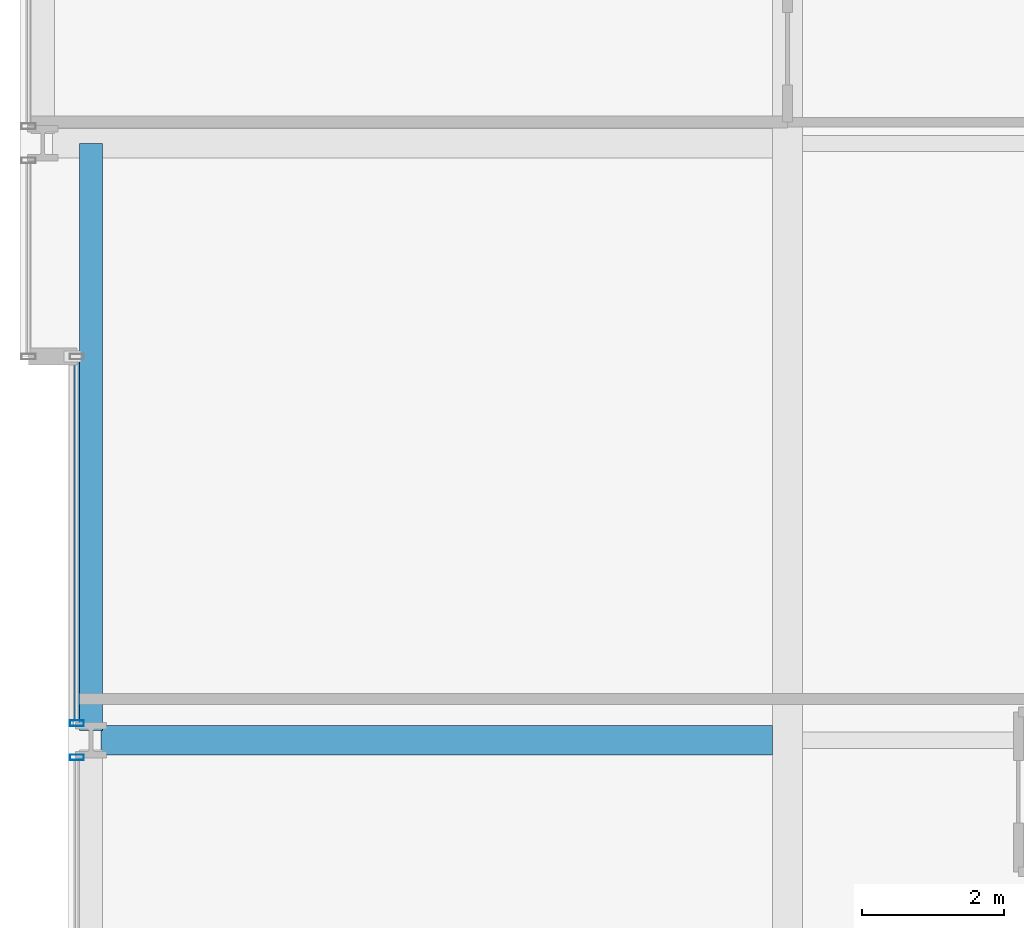
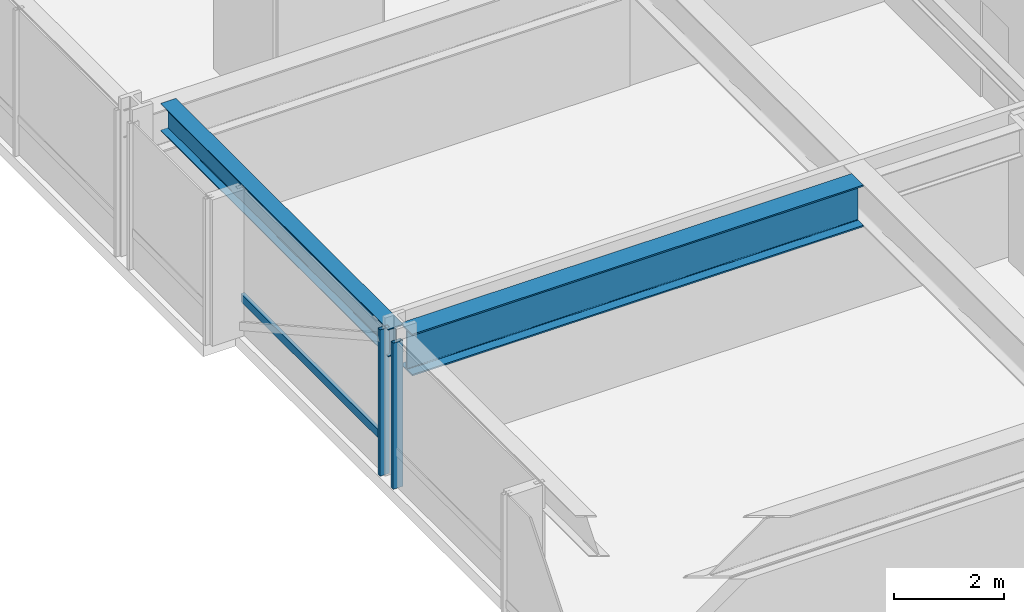
# One storey, part 9 of 38: 3 members, 2 beams, 2 elements without a shape of their own.
"""IFC4 building model written with IfcOpenShell, lengths in metres."""

import ifcopenshell
import ifcopenshell.guid

model = None  # the IFC model being written
_history = None  # IfcOwnerHistory: only IFC2X3 demands one
_inside = {}  # id of a spatial element -> (the spatial element, [elements in it])
_under = {}  # id of a project, library or spatial element -> (it, [spatial elements below it])
_declared = {}  # id of a project -> (the project, [libraries it declares])
_typed = {}  # id of a type object -> (the type object, [elements of that type])
_made_of = {}  # id of a material, layer set ... -> (it, [elements and type objects made of it])


def new_model(schema):
    """Start an empty IFC model of exactly this schema.

    Asked for "IFC4X3", IfcOpenShell would pick the latest addendum, in which some entities
    have other attributes; the version numbers below select the first issue.
    IFC2X3 requires an IfcOwnerHistory on every rooted entity: one is made here for all.
    """
    global model, _history
    if schema == "IFC4X3":
        model = ifcopenshell.file(schema_version=(4, 3, 0, 0))
    else:
        model = ifcopenshell.file(schema=schema)
    _inside.clear()
    _under.clear()
    _declared.clear()
    _typed.clear()
    _made_of.clear()
    _history = None
    if model.schema == "IFC2X3":
        org = make("IfcOrganization", Name="unknown")
        user = make(
            "IfcPersonAndOrganization",
            ThePerson=make("IfcPerson", FamilyName="unknown"),
            TheOrganization=org,
        )
        app = make(
            "IfcApplication",
            ApplicationDeveloper=org,
            Version="unknown",
            ApplicationFullName="unknown",
            ApplicationIdentifier="unknown",
        )
        _history = make(
            "IfcOwnerHistory",
            OwningUser=user,
            OwningApplication=app,
            ChangeAction="ADDED",
            CreationDate=0,
        )
    return model


def make(cls, **values):
    """One entity of the class cls with the attributes given. An attribute that is None is left unset."""
    return model.create_entity(
        cls, **{name: value for name, value in values.items() if value is not None}
    )


def rooted(cls, **values):
    """An entity with a GlobalId (a new one), such as an element, a storey or a relation."""
    return make(cls, GlobalId=ifcopenshell.guid.new(), OwnerHistory=_history, **values)


def si_unit(unit_type, name, prefix=None):
    """IfcSIUnit, for example si_unit("LENGTHUNIT", "METRE", prefix="MILLI")."""
    return make("IfcSIUnit", UnitType=unit_type, Prefix=prefix, Name=name)


def assignment(units):
    """IfcUnitAssignment: the units of a project."""
    return None if units is None else make("IfcUnitAssignment", Units=units)


def point(xyz):
    """IfcCartesianPoint."""
    return None if xyz is None else make("IfcCartesianPoint", Coordinates=xyz)


def direction(xyz):
    """IfcDirection."""
    return None if xyz is None else make("IfcDirection", DirectionRatios=xyz)


def frame(location, z_axis=None, x_axis=None):
    """IfcAxis2Placement3D, a coordinate frame: its origin and axes. An axis left out is left unset."""
    return make(
        "IfcAxis2Placement3D",
        Location=point(location),
        Axis=direction(z_axis),
        RefDirection=direction(x_axis),
    )


def frame_2d(location, x_axis=None):
    """IfcAxis2Placement2D, a coordinate frame in the plane: its origin and x axis."""
    return make(
        "IfcAxis2Placement2D", Location=point(location), RefDirection=direction(x_axis)
    )


def origin():
    """The frame at (0, 0, 0) with its axes left unset."""
    return frame((0.0, 0.0, 0.0))


def origin_2d():
    """The frame at (0, 0) in the plane with its x axis left unset."""
    return frame_2d((0.0, 0.0))


def place(relative_to, where):
    """IfcLocalPlacement: puts the frame where relative to a parent placement (None: the world)."""
    return make(
        "IfcLocalPlacement", PlacementRelTo=relative_to, RelativePlacement=where
    )


def context(
    kind, dimensions, precision=None, world=None, true_north=None, identifier=None
):
    """IfcGeometricRepresentationContext, for example the 3D "Model" context."""
    return make(
        "IfcGeometricRepresentationContext",
        ContextIdentifier=identifier,
        ContextType=kind,
        CoordinateSpaceDimension=dimensions,
        Precision=precision,
        WorldCoordinateSystem=world,
        TrueNorth=true_north,
    )


def subcontext(parent, identifier, kind, view, scale=None):
    """IfcGeometricRepresentationSubContext, for example "Body" below "Model"."""
    return make(
        "IfcGeometricRepresentationSubContext",
        ContextIdentifier=identifier,
        ContextType=kind,
        ParentContext=parent,
        TargetScale=scale,
        TargetView=view,
    )


def project(units=None, contexts=None):
    """IfcProject with its units and contexts."""
    return rooted(
        "IfcProject",
        Name="project",
        RepresentationContexts=contexts,
        UnitsInContext=assignment(units),
    )


def spatial(cls, under=None, at=None, **own):
    """A site, building, storey or space (cls), placed at a placement, below another one or the project."""
    s = rooted(cls, ObjectPlacement=at, **own)
    if under is not None:
        _under.setdefault(under.id(), (under, []))[1].append(s)
    return s


def profile(cls, at=None, kind="AREA", **sizes):
    """A parametric profile (cls). Its sizes go by their IFC names, for example OverallWidth=200.0."""
    return make(cls, ProfileType=kind, Position=at, **sizes)


def hollow_rectangle(**sizes):
    """IfcRectangleHollowProfileDef."""
    return profile("IfcRectangleHollowProfileDef", **sizes)


def i_section(**sizes):
    """IfcIShapeProfileDef."""
    return profile("IfcIShapeProfileDef", **sizes)


def extrude(swept, where, along, depth):
    """IfcExtrudedAreaSolid: the profile swept, set in the frame where, extruded along a direction by depth."""
    return make(
        "IfcExtrudedAreaSolid",
        SweptArea=swept,
        Position=where,
        ExtrudedDirection=direction(along),
        Depth=depth,
    )


def shape(context_of_items, identifier, shape_type, items):
    """IfcShapeRepresentation: the items that make up one representation, for example the "Body"."""
    return make(
        "IfcShapeRepresentation",
        ContextOfItems=context_of_items,
        RepresentationIdentifier=identifier,
        RepresentationType=shape_type,
        Items=items,
    )


def material(Name=None, Category=None):
    """IfcMaterial."""
    return make("IfcMaterial", Name=Name, Category=Category)


def layer(
    of_material, thickness, ventilated=None, Name=None, Category=None, Priority=None
):
    """IfcMaterialLayer: one layer of a wall or slab, of a material (None: an air gap)."""
    return make(
        "IfcMaterialLayer",
        Material=of_material,
        LayerThickness=thickness,
        IsVentilated=ventilated,
        Name=Name,
        Category=Category,
        Priority=Priority,
    )


def layer_set(layers, Name=None):
    """IfcMaterialLayerSet."""
    return make("IfcMaterialLayerSet", MaterialLayers=layers, LayerSetName=Name)


def material_profile(
    of_material, cross_section, Name=None, Category=None, Priority=None
):
    """IfcMaterialProfile: a cross section and its material."""
    return make(
        "IfcMaterialProfile",
        Name=Name,
        Material=of_material,
        Profile=cross_section,
        Priority=Priority,
        Category=Category,
    )


def profile_set(profiles, Name=None, composite=None):
    """IfcMaterialProfileSet."""
    return make(
        "IfcMaterialProfileSet",
        Name=Name,
        MaterialProfiles=profiles,
        CompositeProfile=composite,
    )


def made_of(thing, what):
    """Note that an element or type object is made of a material, layer set ...; save() writes the relation."""
    if what is not None:
        _made_of.setdefault(what.id(), (what, []))[1].append(thing)
    return thing


def type_object(cls, material=None, **own):
    """A type object (cls), such as IfcWallType, which elements share."""
    return made_of(rooted(cls, **own), material)


def element(
    cls,
    number,
    at=None,
    inside=None,
    cuts=None,
    type_object=None,
    material=None,
    context=None,
    identifier="Body",
    shape_type=None,
    held_by="IfcProductDefinitionShape",
    body=None,
    shapes=None,
    **own,
):
    """One element of the class cls, such as IfcWall. Its Tag is "e" and its number.

    at: its placement. inside: the storey or other place that contains it. cuts: it is an
    opening in that element (IfcRelVoidsElement). A single representation is given by context,
    identifier, shape_type and body (its items); several are given by shapes. held_by: the class
    of the entity that holds the representations. save() writes the other relations.
    """
    e = rooted(cls, Tag="e%d" % number, ObjectPlacement=at, **own)
    if body is not None:
        shapes = [shape(context, identifier, shape_type, body)]
    if shapes is not None:
        e.Representation = make(held_by, Representations=shapes)
    if inside is not None:
        _inside.setdefault(inside.id(), (inside, []))[1].append(e)
    if cuts is not None:
        rooted(
            "IfcRelVoidsElement", RelatingBuildingElement=cuts, RelatedOpeningElement=e
        )
    if type_object is not None:
        _typed.setdefault(type_object.id(), (type_object, []))[1].append(e)
    return made_of(e, material)


def aggregate(whole, parts):
    """IfcRelAggregates: a whole, such as a stair, and the parts it consists of."""
    return rooted("IfcRelAggregates", RelatingObject=whole, RelatedObjects=parts)


def save(model, path):
    """Write the relations noted so far, then the file.

    IfcRelAggregates (storeys below a building ...), IfcRelContainedInSpatialStructure (elements
    in a storey), IfcRelDefinesByType, IfcRelAssociatesMaterial and IfcRelDeclares: one each for
    every whole, place, type object, material and project.
    """
    for whole, parts in _under.values():
        aggregate(whole, parts)
    for where, things in _inside.values():
        rooted(
            "IfcRelContainedInSpatialStructure",
            RelatedElements=things,
            RelatingStructure=where,
        )
    for kind, things in _typed.values():
        rooted("IfcRelDefinesByType", RelatedObjects=things, RelatingType=kind)
    for what, things in _made_of.values():
        rooted("IfcRelAssociatesMaterial", RelatedObjects=things, RelatingMaterial=what)
    for by, libraries in _declared.values():
        rooted("IfcRelDeclares", RelatingContext=by, RelatedDefinitions=libraries)
    model.write(path)


model = new_model("IFC4")

# Units and contexts
model_context = context("Model", 3, precision=1e-05, world=origin(), true_north=direction((0.0, 1.0)))
body_context = subcontext(model_context, "Body", "Model", "MODEL_VIEW")
ifc_project = project(units=[si_unit("LENGTHUNIT", "METRE"), si_unit("AREAUNIT", "SQUARE_METRE"), si_unit("VOLUMEUNIT", "CUBIC_METRE"), si_unit("PLANEANGLEUNIT", "RADIAN"), si_unit("MASSUNIT", "GRAM", prefix="KILO")], contexts=[model_context])

# Site, building, storey
site_placement = place(None, origin())
site = spatial("IfcSite", under=ifc_project, at=site_placement, CompositionType="ELEMENT")
building_placement = place(site_placement, origin())
building = spatial("IfcBuilding", under=site, at=building_placement, Name="Drelvath Grand Hotel", CompositionType="ELEMENT")
storey_placement = place(building_placement, frame((0.0, 0.0, 50.699951171875)))
storey = spatial("IfcBuildingStorey", under=building, at=storey_placement, Name="L11", CompositionType="ELEMENT", Elevation=50.699951171875)

# Curtain wall, member
ifc_material_1 = material(Name="Warm Bronze Anodised Aluminium Frame", Category="aluminium")
ifc_layer = layer(ifc_material_1, 0.199951171875)
ifc_layer_set = layer_set([ifc_layer], Name="Warm Bronze Anodised Aluminium Frame")
curtain_wall_type = type_object("IfcCurtainWallType", Name="Stick Curtain Wall CW-02 Warm Bronze Low-Rise", PredefinedType="NOTDEFINED", material=ifc_layer_set)
curtain_wall_1_placement = place(storey_placement, origin())
curtain_wall_1 = element("IfcCurtainWall", 1, at=curtain_wall_1_placement, inside=storey, type_object=curtain_wall_type, Name="L11 CW-02 Curtain Wall CW02-L11-WM2", PredefinedType="NOTDEFINED")
ifc_material_profile_1 = material_profile(ifc_material_1, hollow_rectangle(XDim=0.074951171875, YDim=0.179931640625, WallThickness=0.0048828125, at=origin_2d()), Name="HSS180X75X5")
ifc_profile_set_1 = profile_set([ifc_material_profile_1], Name="Warm Bronze Anodised Aluminium Frame")
member_type_1 = type_object("IfcMemberType", Name="Curtain Wall Horizontal Transom CW-02 HSS180X75X5", PredefinedType="USERDEFINED", material=ifc_profile_set_1)
member_1_placement = place(storey_placement, frame((-26.199951171875, 27.281005859375, 0.81005859375), z_axis=(0.0, 1.0, 0.0), x_axis=(-1.0, 0.0, 0.0)))
member_1 = element("IfcMember", 2, at=member_1_placement, type_object=member_type_1, Name="CW02-L11-WM2 Sill Transom", ObjectType="TRANSOM", PredefinedType="USERDEFINED", context=body_context, shape_type="SweptSolid", body=[
    extrude(hollow_rectangle(XDim=0.074951171875, YDim=0.179931640625, WallThickness=0.0048828125, at=origin_2d()), origin(), (0.0, 0.0, 1.0), 5.0791015625),
])

curtain_wall_2_placement = place(storey_placement, origin())
curtain_wall_2 = element("IfcCurtainWall", 3, at=curtain_wall_2_placement, inside=storey, type_object=curtain_wall_type, Name="L11 CW-02 Curtain Wall CW02-L11-WM1", PredefinedType="NOTDEFINED")
ifc_material_profile_2 = material_profile(ifc_material_1, hollow_rectangle(XDim=0.080078125, YDim=0.199951171875, WallThickness=0.0048828125, at=origin_2d()), Name="HSS200X80X5")
ifc_profile_set_2 = profile_set([ifc_material_profile_2], Name="Warm Bronze Anodised Aluminium Frame")
member_type_2 = type_object("IfcMemberType", Name="Curtain Wall Vertical Mullion CW-02 HSS200X80X5", PredefinedType="MULLION", material=ifc_profile_set_2)
member_2_placement = place(storey_placement, frame((-26.199951171875, 26.759033203125, 0.0), z_axis=(0.0, 0.0, 1.0), x_axis=(0.0, 1.0, 0.0)))
member_2 = element("IfcMember", 4, at=member_2_placement, type_object=member_type_2, Name="CW02-L11-WM1 Mullion 2", PredefinedType="MULLION", context=body_context, shape_type="SweptSolid", body=[
    extrude(hollow_rectangle(XDim=0.080078125, YDim=0.199951171875, WallThickness=0.0048828125, at=origin_2d()), origin(), (0.0, 0.0, 1.0), 3.239990234375),
])
aggregate(curtain_wall_2, [member_2])

# Member
member_3_placement = place(storey_placement, frame((-26.199951171875, 27.240966796875, 0.0), z_axis=(0.0, 0.0, 1.0), x_axis=(0.0, 1.0, 0.0)))
member_3 = element("IfcMember", 5, at=member_3_placement, type_object=member_type_2, Name="CW02-L11-WM2 Mullion 1", PredefinedType="MULLION", context=body_context, shape_type="SweptSolid", body=[
    extrude(hollow_rectangle(XDim=0.080078125, YDim=0.199951171875, WallThickness=0.0048828125, at=origin_2d()), origin(), (0.0, 0.0, 1.0), 3.239990234375),
])

aggregate(curtain_wall_1, [member_3, member_1])

# Beams
ifc_material_2 = material(Name="Steel ASTM A992 Gr 50", Category="steel")
ifc_material_profile_3 = material_profile(ifc_material_2, i_section(OverallWidth=0.323974609375, OverallDepth=0.611083984375, WebThickness=0.0126953125, FlangeThickness=0.01904296875, FilletRadius=0.02197265625, at=origin_2d()), Name="W24X104")
ifc_profile_set_3 = profile_set([ifc_material_profile_3], Name="Steel ASTM A992 Gr 50")
beam_type_1 = type_object("IfcBeamType", Name="Perimeter Spandrel Beam W24X104", PredefinedType="SPANDREL", material=ifc_profile_set_3)
beam_1_placement = place(storey_placement, frame((-26.0, 27.139892578125, 2.9345703125), z_axis=(0.0, 1.0, 0.0), x_axis=(-1.0, 0.0, 0.0)))
element("IfcBeam", 6, at=beam_1_placement, inside=storey, type_object=beam_type_1, Name="L11 Spandrel West Mid N", PredefinedType="SPANDREL", context=body_context, shape_type="SweptSolid", body=[
    extrude(i_section(OverallWidth=0.323974609375, OverallDepth=0.611083984375, WebThickness=0.0126953125, FlangeThickness=0.01904296875, FilletRadius=0.02197265625, at=origin_2d()), origin(), (0.0, 0.0, 1.0), 8.260009765625),
])
ifc_material_profile_4 = material_profile(ifc_material_2, i_section(OverallWidth=0.418212890625, OverallDepth=0.926513671875, WebThickness=0.019287109375, FlangeThickness=0.031982421875, FilletRadius=0.028076171875, at=origin_2d()), Name="W36X231")
ifc_profile_set_4 = profile_set([ifc_material_profile_4], Name="Steel ASTM A992 Gr 50")
beam_type_2 = type_object("IfcBeamType", Name="Primary Floor Girder W36X231", PredefinedType="BEAM", material=ifc_profile_set_4)
beam_2_placement = place(storey_placement, frame((-25.860107421875, 27.0, 2.77685546875), z_axis=(1.0, 0.0, 0.0), x_axis=(0.0, 1.0, 0.0)))
element("IfcBeam", 7, at=beam_2_placement, inside=storey, type_object=beam_type_2, Name="L11 West Wing Girder E", PredefinedType="BEAM", context=body_context, shape_type="SweptSolid", body=[
    extrude(i_section(OverallWidth=0.418212890625, OverallDepth=0.926513671875, WebThickness=0.019287109375, FlangeThickness=0.031982421875, FilletRadius=0.028076171875, at=origin_2d()), origin(), (0.0, 0.0, 1.0), 9.450927734375),
])

save(model, "model.ifc")
